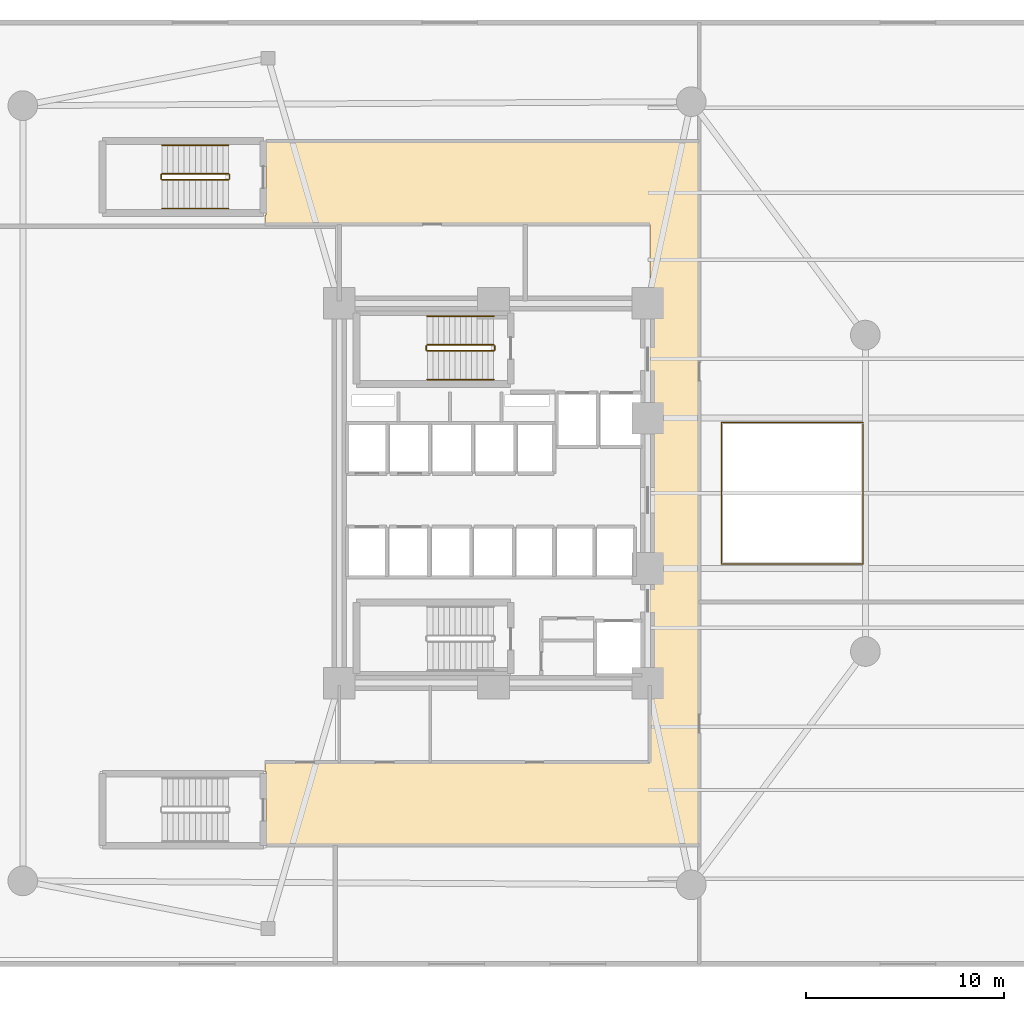
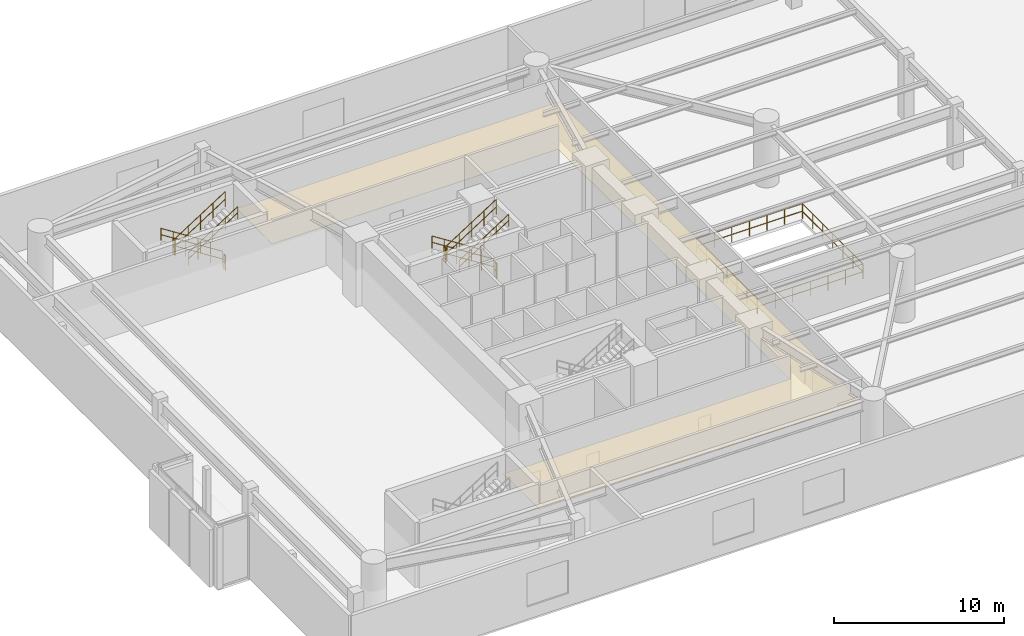
# One storey, part 15 of 16: 14 railings, 1 covering.
"""IFC4 building model written with IfcOpenShell, lengths in metres."""

from ifc_helpers import new_model, si_unit, direction, frame, origin, origin_2d, place, context, subcontext, project, spatial, polyline, circle, outline, extrude, material, layer, layer_set, type_object, element, save


model = new_model("IFC4")

# Units and contexts
model_context = context("Model", 3, precision=1e-05, world=origin(), true_north=direction((0.0, 1.0)))
body_context = subcontext(model_context, "Body", "Model", "MODEL_VIEW")
ifc_project = project(units=[si_unit("LENGTHUNIT", "METRE"), si_unit("AREAUNIT", "SQUARE_METRE"), si_unit("VOLUMEUNIT", "CUBIC_METRE"), si_unit("PLANEANGLEUNIT", "RADIAN"), si_unit("MASSUNIT", "GRAM", prefix="KILO")], contexts=[model_context])

# Site, building, storey
site_placement = place(None, origin())
site = spatial("IfcSite", under=ifc_project, at=site_placement, CompositionType="ELEMENT")
building_placement = place(site_placement, origin())
building = spatial("IfcBuilding", under=site, at=building_placement, Name="An Khanh Terracotta Commons", CompositionType="ELEMENT")
storey_placement = place(building_placement, frame((0.0, 0.0, 5.39990234375)))
storey = spatial("IfcBuildingStorey", under=building, at=storey_placement, Name="L02", CompositionType="ELEMENT", Elevation=5.39990234375)

# Covering
ifc_material_1 = material(Name="Perforated Mineral-Fibre Acoustic Tile")
ifc_layer = layer(ifc_material_1, 0.02001953125, Name="Perforated Mineral-Fibre Acoustic Tile")
ifc_layer_set = layer_set([ifc_layer], Name="Perforated Mineral-Fibre Acoustic Tile")
covering_type = type_object("IfcCoveringType", Name="CEIL-ACOUSTIC-18", PredefinedType="CEILING", material=ifc_layer_set)
covering_placement = place(storey_placement, frame((0.0, 0.0, 2.650146484375)))
element("IfcCovering", 1, at=covering_placement, inside=storey, type_object=covering_type, Name="L02 Gallery Ceiling", PredefinedType="CEILING", context=body_context, shape_type="SweptSolid", body=[
    extrude(outline(polyline([(17.889892578125, 6.199951171875), (17.889892578125, 9.93994140625), (17.85009765625, 9.93994140625), (17.85009765625, 10.39990234375), (37.300048828125, 10.39990234375), (37.300048828125, 14.280029296875), (37.320068359375, 14.280029296875), (37.320068359375, 33.719970703125), (37.300048828125, 33.719970703125), (37.300048828125, 37.60009765625), (17.85009765625, 37.60009765625), (17.85009765625, 38.06005859375), (17.889892578125, 38.06005859375), (17.889892578125, 41.800048828125), (39.800048828125, 41.800048828125), (39.800048828125, 40.0), (39.800048828125, 37.60009765625), (39.800048828125, 10.39990234375), (39.800048828125, 8.0), (39.800048828125, 6.199951171875), (17.889892578125, 6.199951171875)])), origin(), (0.0, 0.0, 1.0), 0.02001953125),
])

# Railings
ifc_material_2 = material(Name="Brushed Stainless Steel 316", Category="steel")
railing_type_1 = type_object("IfcRailingType", Name="RAIL-BALUSTRADE-1100", PredefinedType="BALUSTRADE", material=ifc_material_2)
railing_1_placement = place(storey_placement, frame((40.919921875, 20.419921875, 0.0)))
element("IfcRailing", 2, at=railing_1_placement, inside=storey, type_object=railing_type_1, Name="L02 Podium Commons Atrium Void Balustrade South-East", PredefinedType="BALUSTRADE", context=body_context, shape_type="SweptSolid", body=[
    extrude(circle(Radius=0.02392578125, at=origin_2d()), frame((0.0, 0.0, 1.076171875), z_axis=(1.0, 0.0, 0.0), x_axis=(0.0, 1.0, 0.0)), (0.0, 0.0, 1.0), 7.16015625),
    extrude(circle(Radius=0.02392578125, at=origin_2d()), frame((0.0, 0.0, 0.52587890625), z_axis=(1.0, 0.0, 0.0), x_axis=(0.0, 1.0, 0.0)), (0.0, 0.0, 1.0), 7.16015625),
    extrude(circle(Radius=0.02392578125, at=origin_2d()), frame((7.16015625, 0.0, 1.076171875), z_axis=(0.0, 1.0, 0.0), x_axis=(-1.0, 0.0, 0.0)), (0.0, 0.0, 1.0), 7.10009765625),
    extrude(circle(Radius=0.02392578125, at=origin_2d()), frame((7.16015625, 0.0, 0.52587890625), z_axis=(0.0, 1.0, 0.0), x_axis=(-1.0, 0.0, 0.0)), (0.0, 0.0, 1.0), 7.10009765625),
    extrude(circle(Radius=0.02099609375, at=origin_2d()), origin(), (0.0, 0.0, 1.0), 1.052001953125),
    extrude(circle(Radius=0.02099609375, at=origin_2d()), frame((1.193359375, 0.0, 0.0)), (0.0, 0.0, 1.0), 1.052001953125),
    extrude(circle(Radius=0.02099609375, at=origin_2d()), frame((2.38671875, 0.0, 0.0)), (0.0, 0.0, 1.0), 1.052001953125),
    extrude(circle(Radius=0.02099609375, at=origin_2d()), frame((3.580078125, 0.0, 0.0)), (0.0, 0.0, 1.0), 1.052001953125),
    extrude(circle(Radius=0.02099609375, at=origin_2d()), frame((4.7734375, 0.0, 0.0)), (0.0, 0.0, 1.0), 1.052001953125),
    extrude(circle(Radius=0.02099609375, at=origin_2d()), frame((5.966796875, 0.0, 0.0)), (0.0, 0.0, 1.0), 1.052001953125),
    extrude(circle(Radius=0.02099609375, at=origin_2d()), frame((7.16015625, 0.0, 0.0)), (0.0, 0.0, 1.0), 1.052001953125),
    extrude(circle(Radius=0.02099609375, at=origin_2d()), frame((7.16015625, 1.183349609375, 0.0)), (0.0, 0.0, 1.0), 1.052001953125),
    extrude(circle(Radius=0.02099609375, at=origin_2d()), frame((7.16015625, 2.36669921875, 0.0)), (0.0, 0.0, 1.0), 1.052001953125),
    extrude(circle(Radius=0.02099609375, at=origin_2d()), frame((7.16015625, 3.550048828125, 0.0)), (0.0, 0.0, 1.0), 1.052001953125),
    extrude(circle(Radius=0.02099609375, at=origin_2d()), frame((7.16015625, 4.7333984375, 0.0)), (0.0, 0.0, 1.0), 1.052001953125),
    extrude(circle(Radius=0.02099609375, at=origin_2d()), frame((7.16015625, 5.916748046875, 0.0)), (0.0, 0.0, 1.0), 1.052001953125),
    extrude(circle(Radius=0.02099609375, at=origin_2d()), frame((7.16015625, 7.10009765625, 0.0)), (0.0, 0.0, 1.0), 1.052001953125),
])
railing_2_placement = place(storey_placement, frame((48.080078125, 27.580078125, 0.0)))
element("IfcRailing", 3, at=railing_2_placement, inside=storey, type_object=railing_type_1, Name="L02 Podium Commons Atrium Void Balustrade North-West", PredefinedType="BALUSTRADE", context=body_context, shape_type="SweptSolid", body=[
    extrude(circle(Radius=0.02392578125, at=origin_2d()), frame((0.0, 0.0, 1.076171875), z_axis=(-1.0, 0.0, 0.0), x_axis=(0.0, -1.0, 0.0)), (0.0, 0.0, 1.0), 7.16015625),
    extrude(circle(Radius=0.02392578125, at=origin_2d()), frame((0.0, 0.0, 0.52587890625), z_axis=(-1.0, 0.0, 0.0), x_axis=(0.0, -1.0, 0.0)), (0.0, 0.0, 1.0), 7.16015625),
    extrude(circle(Radius=0.02392578125, at=origin_2d()), frame((-7.16015625, 0.0, 1.076171875), z_axis=(0.0, -1.0, 0.0), x_axis=(1.0, 0.0, 0.0)), (0.0, 0.0, 1.0), 7.10009765625),
    extrude(circle(Radius=0.02392578125, at=origin_2d()), frame((-7.16015625, 0.0, 0.52587890625), z_axis=(0.0, -1.0, 0.0), x_axis=(1.0, 0.0, 0.0)), (0.0, 0.0, 1.0), 7.10009765625),
    extrude(circle(Radius=0.02099609375, at=origin_2d()), origin(), (0.0, 0.0, 1.0), 1.052001953125),
    extrude(circle(Radius=0.02099609375, at=origin_2d()), frame((-1.193359375, 0.0, 0.0)), (0.0, 0.0, 1.0), 1.052001953125),
    extrude(circle(Radius=0.02099609375, at=origin_2d()), frame((-2.38671875, 0.0, 0.0)), (0.0, 0.0, 1.0), 1.052001953125),
    extrude(circle(Radius=0.02099609375, at=origin_2d()), frame((-3.580078125, 0.0, 0.0)), (0.0, 0.0, 1.0), 1.052001953125),
    extrude(circle(Radius=0.02099609375, at=origin_2d()), frame((-4.7734375, 0.0, 0.0)), (0.0, 0.0, 1.0), 1.052001953125),
    extrude(circle(Radius=0.02099609375, at=origin_2d()), frame((-5.966796875, 0.0, 0.0)), (0.0, 0.0, 1.0), 1.052001953125),
    extrude(circle(Radius=0.02099609375, at=origin_2d()), frame((-7.16015625, 0.0, 0.0)), (0.0, 0.0, 1.0), 1.052001953125),
    extrude(circle(Radius=0.02099609375, at=origin_2d()), frame((-7.16015625, -1.183349609375, 0.0)), (0.0, 0.0, 1.0), 1.052001953125),
    extrude(circle(Radius=0.02099609375, at=origin_2d()), frame((-7.16015625, -2.36669921875, 0.0)), (0.0, 0.0, 1.0), 1.052001953125),
    extrude(circle(Radius=0.02099609375, at=origin_2d()), frame((-7.16015625, -3.550048828125, 0.0)), (0.0, 0.0, 1.0), 1.052001953125),
    extrude(circle(Radius=0.02099609375, at=origin_2d()), frame((-7.16015625, -4.7333984375, 0.0)), (0.0, 0.0, 1.0), 1.052001953125),
    extrude(circle(Radius=0.02099609375, at=origin_2d()), frame((-7.16015625, -5.916748046875, 0.0)), (0.0, 0.0, 1.0), 1.052001953125),
    extrude(circle(Radius=0.02099609375, at=origin_2d()), frame((-7.16015625, -7.10009765625, 0.0)), (0.0, 0.0, 1.0), 1.052001953125),
])
railing_type_2 = type_object("IfcRailingType", Name="RAIL-HANDRAIL-900", PredefinedType="HANDRAIL", material=ifc_material_2)
railing_3_placement = place(storey_placement, frame((29.409912109375, 32.949951171875, 0.178955078125)))
element("IfcRailing", 4, at=railing_3_placement, inside=storey, type_object=railing_type_2, Name="L02 ST-01 stair handrail 1", PredefinedType="HANDRAIL", context=body_context, shape_type="SweptSolid", body=[
    extrude(circle(Radius=0.02392578125, at=origin_2d()), frame((0.0, 0.0, 0.8759765625), z_axis=(-0.842734844946, 0.0, 0.538328878209), x_axis=(0.0, -1.0, 0.0)), (0.0, 0.0, 1.0), 3.98681640625),
    extrude(circle(Radius=0.02392578125, at=origin_2d()), frame((0.0, 0.0, 0.42578125), z_axis=(-0.842734844946, 0.0, 0.538328878209), x_axis=(0.0, -1.0, 0.0)), (0.0, 0.0, 1.0), 3.98681640625),
    extrude(circle(Radius=0.02099609375, at=origin_2d()), origin(), (0.0, 0.0, 1.0), 0.851806640625),
    extrude(circle(Radius=0.02099609375, at=origin_2d()), frame((-0.83984375, 0.0, 0.53662109375)), (0.0, 0.0, 1.0), 0.851806640625),
    extrude(circle(Radius=0.02099609375, at=origin_2d()), frame((-1.679931640625, 0.0, 1.0732421875)), (0.0, 0.0, 1.0), 0.851806640625),
    extrude(circle(Radius=0.02099609375, at=origin_2d()), frame((-2.52001953125, 0.0, 1.609619140625)), (0.0, 0.0, 1.0), 0.851806640625),
    extrude(circle(Radius=0.02099609375, at=origin_2d()), frame((-3.35986328125, 0.0, 2.146240234375)), (0.0, 0.0, 1.0), 0.851806640625),
])
railing_4_placement = place(storey_placement, frame((26.050048828125, 29.75, 2.50390625)))
element("IfcRailing", 5, at=railing_4_placement, inside=storey, type_object=railing_type_2, Name="L02 ST-01 stair handrail 2", PredefinedType="HANDRAIL", context=body_context, shape_type="SweptSolid", body=[
    extrude(circle(Radius=0.02392578125, at=origin_2d()), frame((0.0, 0.0, 0.8759765625), z_axis=(0.842734844946, 0.0, 0.538328878209), x_axis=(0.0, 1.0, 0.0)), (0.0, 0.0, 1.0), 3.98681640625),
    extrude(circle(Radius=0.02392578125, at=origin_2d()), frame((0.0, 0.0, 0.42578125), z_axis=(0.842734844946, 0.0, 0.538328878209), x_axis=(0.0, 1.0, 0.0)), (0.0, 0.0, 1.0), 3.98681640625),
    extrude(circle(Radius=0.02099609375, at=origin_2d()), origin(), (0.0, 0.0, 1.0), 0.851806640625),
    extrude(circle(Radius=0.02099609375, at=origin_2d()), frame((0.83984375, 0.0, 0.53662109375)), (0.0, 0.0, 1.0), 0.851806640625),
    extrude(circle(Radius=0.02099609375, at=origin_2d()), frame((1.679931640625, 0.0, 1.0732421875)), (0.0, 0.0, 1.0), 0.851806640625),
    extrude(circle(Radius=0.02099609375, at=origin_2d()), frame((2.52001953125, 0.0, 1.609619140625)), (0.0, 0.0, 1.0), 0.851806640625),
    extrude(circle(Radius=0.02099609375, at=origin_2d()), frame((3.35986328125, 0.0, 2.146240234375)), (0.0, 0.0, 1.0), 0.851806640625),
])
railing_5_placement = place(storey_placement, frame((16.0, 41.60009765625, 0.178955078125)))
element("IfcRailing", 6, at=railing_5_placement, inside=storey, type_object=railing_type_2, Name="L02 ST-P2 stair handrail 1", PredefinedType="HANDRAIL", context=body_context, shape_type="SweptSolid", body=[
    extrude(circle(Radius=0.02392578125, at=origin_2d()), frame((0.0, 0.0, 0.8759765625), z_axis=(-0.842752589747, 0.0, 0.538301098341), x_axis=(0.0, -1.0, 0.0)), (0.0, 0.0, 1.0), 3.987060546875),
    extrude(circle(Radius=0.02392578125, at=origin_2d()), frame((0.0, 0.0, 0.42578125), z_axis=(-0.842752589747, 0.0, 0.538301098341), x_axis=(0.0, -1.0, 0.0)), (0.0, 0.0, 1.0), 3.987060546875),
    extrude(circle(Radius=0.02099609375, at=origin_2d()), origin(), (0.0, 0.0, 1.0), 0.851806640625),
    extrude(circle(Radius=0.02099609375, at=origin_2d()), frame((-0.840087890625, 0.0, 0.53662109375)), (0.0, 0.0, 1.0), 0.851806640625),
    extrude(circle(Radius=0.02099609375, at=origin_2d()), frame((-1.68017578125, 0.0, 1.0732421875)), (0.0, 0.0, 1.0), 0.851806640625),
    extrude(circle(Radius=0.02099609375, at=origin_2d()), frame((-2.52001953125, 0.0, 1.609619140625)), (0.0, 0.0, 1.0), 0.851806640625),
    extrude(circle(Radius=0.02099609375, at=origin_2d()), frame((-3.360107421875, 0.0, 2.146240234375)), (0.0, 0.0, 1.0), 0.851806640625),
])
railing_6_placement = place(storey_placement, frame((12.639892578125, 38.39990234375, 2.50390625)))
element("IfcRailing", 7, at=railing_6_placement, inside=storey, type_object=railing_type_2, Name="L02 ST-P2 stair handrail 2", PredefinedType="HANDRAIL", context=body_context, shape_type="SweptSolid", body=[
    extrude(circle(Radius=0.02392578125, at=origin_2d()), frame((0.0, 0.0, 0.8759765625), z_axis=(0.842752589747, 0.0, 0.538301098341), x_axis=(0.0, 1.0, 0.0)), (0.0, 0.0, 1.0), 3.987060546875),
    extrude(circle(Radius=0.02392578125, at=origin_2d()), frame((0.0, 0.0, 0.42578125), z_axis=(0.842752589747, 0.0, 0.538301098341), x_axis=(0.0, 1.0, 0.0)), (0.0, 0.0, 1.0), 3.987060546875),
    extrude(circle(Radius=0.02099609375, at=origin_2d()), origin(), (0.0, 0.0, 1.0), 0.851806640625),
    extrude(circle(Radius=0.02099609375, at=origin_2d()), frame((0.840087890625, 0.0, 0.53662109375)), (0.0, 0.0, 1.0), 0.851806640625),
    extrude(circle(Radius=0.02099609375, at=origin_2d()), frame((1.68017578125, 0.0, 1.0732421875)), (0.0, 0.0, 1.0), 0.851806640625),
    extrude(circle(Radius=0.02099609375, at=origin_2d()), frame((2.52001953125, 0.0, 1.609619140625)), (0.0, 0.0, 1.0), 0.851806640625),
    extrude(circle(Radius=0.02099609375, at=origin_2d()), frame((3.360107421875, 0.0, 2.146240234375)), (0.0, 0.0, 1.0), 0.851806640625),
])
ifc_material_3 = material(Name="Powder-Coated Steel S355J2", Category="steel")
railing_type_3 = type_object("IfcRailingType", Name="RAIL-STAIR-GUARD-1100", PredefinedType="BALUSTRADE", material=ifc_material_3)
railing_7_placement = place(storey_placement, frame((29.409912109375, 31.5, 0.178955078125)))
element("IfcRailing", 8, at=railing_7_placement, inside=storey, type_object=railing_type_3, Name="L02 ST-01 stair guard 1", PredefinedType="BALUSTRADE", context=body_context, shape_type="SweptSolid", body=[
    extrude(circle(Radius=0.02392578125, at=origin_2d()), frame((0.0, 0.0, 1.076171875), z_axis=(-0.842734844946, 0.0, 0.538328878209), x_axis=(0.0, -1.0, 0.0)), (0.0, 0.0, 1.0), 3.98681640625),
    extrude(circle(Radius=0.02392578125, at=origin_2d()), frame((0.0, 0.0, 0.52587890625), z_axis=(-0.842734844946, 0.0, 0.538328878209), x_axis=(0.0, -1.0, 0.0)), (0.0, 0.0, 1.0), 3.98681640625),
    extrude(circle(Radius=0.02099609375, at=origin_2d()), origin(), (0.0, 0.0, 1.0), 1.052001953125),
    extrude(circle(Radius=0.02099609375, at=origin_2d()), frame((-0.83984375, 0.0, 0.53662109375)), (0.0, 0.0, 1.0), 1.052001953125),
    extrude(circle(Radius=0.02099609375, at=origin_2d()), frame((-1.679931640625, 0.0, 1.0732421875)), (0.0, 0.0, 1.0), 1.052001953125),
    extrude(circle(Radius=0.02099609375, at=origin_2d()), frame((-2.52001953125, 0.0, 1.609619140625)), (0.0, 0.0, 1.0), 1.052001953125),
    extrude(circle(Radius=0.02099609375, at=origin_2d()), frame((-3.35986328125, 0.0, 2.146240234375)), (0.0, 0.0, 1.0), 1.052001953125),
])
railing_8_placement = place(storey_placement, frame((26.0, 31.449951171875, 2.3251953125)))
element("IfcRailing", 9, at=railing_8_placement, inside=storey, type_object=railing_type_3, Name="L02 ST-01 stair guard 2", PredefinedType="BALUSTRADE", context=body_context, shape_type="SweptSolid", body=[
    extrude(circle(Radius=0.02392578125, at=origin_2d()), frame((0.0, 0.0, 1.076171875), z_axis=(0.0, -1.0, 0.0), x_axis=(1.0, 0.0, 0.0)), (0.0, 0.0, 1.0), 0.199951171875),
    extrude(circle(Radius=0.02392578125, at=origin_2d()), frame((0.0, 0.0, 0.52587890625), z_axis=(0.0, -1.0, 0.0), x_axis=(1.0, 0.0, 0.0)), (0.0, 0.0, 1.0), 0.199951171875),
    extrude(circle(Radius=0.02099609375, at=origin_2d()), origin(), (0.0, 0.0, 1.0), 1.052001953125),
    extrude(circle(Radius=0.02099609375, at=origin_2d()), frame((0.0, -0.199951171875, 0.0)), (0.0, 0.0, 1.0), 1.052001953125),
])
railing_9_placement = place(storey_placement, frame((26.050048828125, 31.199951171875, 2.50390625)))
element("IfcRailing", 10, at=railing_9_placement, inside=storey, type_object=railing_type_3, Name="L02 ST-01 stair guard 3", PredefinedType="BALUSTRADE", context=body_context, shape_type="SweptSolid", body=[
    extrude(circle(Radius=0.02392578125, at=origin_2d()), frame((0.0, 0.0, 1.076171875), z_axis=(0.842734844946, 0.0, 0.538328878209), x_axis=(0.0, 1.0, 0.0)), (0.0, 0.0, 1.0), 3.98681640625),
    extrude(circle(Radius=0.02392578125, at=origin_2d()), frame((0.0, 0.0, 0.52587890625), z_axis=(0.842734844946, 0.0, 0.538328878209), x_axis=(0.0, 1.0, 0.0)), (0.0, 0.0, 1.0), 3.98681640625),
    extrude(circle(Radius=0.02099609375, at=origin_2d()), origin(), (0.0, 0.0, 1.0), 1.052001953125),
    extrude(circle(Radius=0.02099609375, at=origin_2d()), frame((0.83984375, 0.0, 0.53662109375)), (0.0, 0.0, 1.0), 1.052001953125),
    extrude(circle(Radius=0.02099609375, at=origin_2d()), frame((1.679931640625, 0.0, 1.0732421875)), (0.0, 0.0, 1.0), 1.052001953125),
    extrude(circle(Radius=0.02099609375, at=origin_2d()), frame((2.52001953125, 0.0, 1.609619140625)), (0.0, 0.0, 1.0), 1.052001953125),
    extrude(circle(Radius=0.02099609375, at=origin_2d()), frame((3.35986328125, 0.0, 2.146240234375)), (0.0, 0.0, 1.0), 1.052001953125),
])
railing_10_placement = place(storey_placement, frame((29.4599609375, 31.449951171875, 0.0)))
element("IfcRailing", 11, at=railing_10_placement, inside=storey, type_object=railing_type_3, Name="L02 ST-01 stair guard 4", PredefinedType="BALUSTRADE", context=body_context, shape_type="SweptSolid", body=[
    extrude(circle(Radius=0.02392578125, at=origin_2d()), frame((0.0, 0.0, 1.076171875), z_axis=(0.0, -1.0, 0.0), x_axis=(1.0, 0.0, 0.0)), (0.0, 0.0, 1.0), 0.199951171875),
    extrude(circle(Radius=0.02392578125, at=origin_2d()), frame((0.0, 0.0, 0.52587890625), z_axis=(0.0, -1.0, 0.0), x_axis=(1.0, 0.0, 0.0)), (0.0, 0.0, 1.0), 0.199951171875),
    extrude(circle(Radius=0.02099609375, at=origin_2d()), origin(), (0.0, 0.0, 1.0), 1.052001953125),
    extrude(circle(Radius=0.02099609375, at=origin_2d()), frame((0.0, -0.199951171875, 0.0)), (0.0, 0.0, 1.0), 1.052001953125),
])
railing_11_placement = place(storey_placement, frame((16.0, 40.14990234375, 0.178955078125)))
element("IfcRailing", 12, at=railing_11_placement, inside=storey, type_object=railing_type_3, Name="L02 ST-P2 stair guard 1", PredefinedType="BALUSTRADE", context=body_context, shape_type="SweptSolid", body=[
    extrude(circle(Radius=0.02392578125, at=origin_2d()), frame((0.0, 0.0, 1.076171875), z_axis=(-0.842752589747, 0.0, 0.538301098341), x_axis=(0.0, -1.0, 0.0)), (0.0, 0.0, 1.0), 3.987060546875),
    extrude(circle(Radius=0.02392578125, at=origin_2d()), frame((0.0, 0.0, 0.52587890625), z_axis=(-0.842752589747, 0.0, 0.538301098341), x_axis=(0.0, -1.0, 0.0)), (0.0, 0.0, 1.0), 3.987060546875),
    extrude(circle(Radius=0.02099609375, at=origin_2d()), origin(), (0.0, 0.0, 1.0), 1.052001953125),
    extrude(circle(Radius=0.02099609375, at=origin_2d()), frame((-0.840087890625, 0.0, 0.53662109375)), (0.0, 0.0, 1.0), 1.052001953125),
    extrude(circle(Radius=0.02099609375, at=origin_2d()), frame((-1.68017578125, 0.0, 1.0732421875)), (0.0, 0.0, 1.0), 1.052001953125),
    extrude(circle(Radius=0.02099609375, at=origin_2d()), frame((-2.52001953125, 0.0, 1.609619140625)), (0.0, 0.0, 1.0), 1.052001953125),
    extrude(circle(Radius=0.02099609375, at=origin_2d()), frame((-3.360107421875, 0.0, 2.146240234375)), (0.0, 0.0, 1.0), 1.052001953125),
])
railing_12_placement = place(storey_placement, frame((12.590087890625, 40.10009765625, 2.3251953125)))
element("IfcRailing", 13, at=railing_12_placement, inside=storey, type_object=railing_type_3, Name="L02 ST-P2 stair guard 2", PredefinedType="BALUSTRADE", context=body_context, shape_type="SweptSolid", body=[
    extrude(circle(Radius=0.02392578125, at=origin_2d()), frame((0.0, 0.0, 1.076171875), z_axis=(0.0, -1.0, 0.0), x_axis=(1.0, 0.0, 0.0)), (0.0, 0.0, 1.0), 0.2001953125),
    extrude(circle(Radius=0.02392578125, at=origin_2d()), frame((0.0, 0.0, 0.52587890625), z_axis=(0.0, -1.0, 0.0), x_axis=(1.0, 0.0, 0.0)), (0.0, 0.0, 1.0), 0.2001953125),
    extrude(circle(Radius=0.02099609375, at=origin_2d()), origin(), (0.0, 0.0, 1.0), 1.052001953125),
    extrude(circle(Radius=0.02099609375, at=origin_2d()), frame((0.0, -0.2001953125, 0.0)), (0.0, 0.0, 1.0), 1.052001953125),
])
railing_13_placement = place(storey_placement, frame((12.639892578125, 39.85009765625, 2.50390625)))
element("IfcRailing", 14, at=railing_13_placement, inside=storey, type_object=railing_type_3, Name="L02 ST-P2 stair guard 3", PredefinedType="BALUSTRADE", context=body_context, shape_type="SweptSolid", body=[
    extrude(circle(Radius=0.02392578125, at=origin_2d()), frame((0.0, 0.0, 1.076171875), z_axis=(0.842752589747, 0.0, 0.538301098341), x_axis=(0.0, 1.0, 0.0)), (0.0, 0.0, 1.0), 3.987060546875),
    extrude(circle(Radius=0.02392578125, at=origin_2d()), frame((0.0, 0.0, 0.52587890625), z_axis=(0.842752589747, 0.0, 0.538301098341), x_axis=(0.0, 1.0, 0.0)), (0.0, 0.0, 1.0), 3.987060546875),
    extrude(circle(Radius=0.02099609375, at=origin_2d()), origin(), (0.0, 0.0, 1.0), 1.052001953125),
    extrude(circle(Radius=0.02099609375, at=origin_2d()), frame((0.840087890625, 0.0, 0.53662109375)), (0.0, 0.0, 1.0), 1.052001953125),
    extrude(circle(Radius=0.02099609375, at=origin_2d()), frame((1.68017578125, 0.0, 1.0732421875)), (0.0, 0.0, 1.0), 1.052001953125),
    extrude(circle(Radius=0.02099609375, at=origin_2d()), frame((2.52001953125, 0.0, 1.609619140625)), (0.0, 0.0, 1.0), 1.052001953125),
    extrude(circle(Radius=0.02099609375, at=origin_2d()), frame((3.360107421875, 0.0, 2.146240234375)), (0.0, 0.0, 1.0), 1.052001953125),
])
railing_14_placement = place(storey_placement, frame((16.050048828125, 40.10009765625, 0.0)))
element("IfcRailing", 15, at=railing_14_placement, inside=storey, type_object=railing_type_3, Name="L02 ST-P2 stair guard 4", PredefinedType="BALUSTRADE", context=body_context, shape_type="SweptSolid", body=[
    extrude(circle(Radius=0.02392578125, at=origin_2d()), frame((0.0, 0.0, 1.076171875), z_axis=(0.0, -1.0, 0.0), x_axis=(1.0, 0.0, 0.0)), (0.0, 0.0, 1.0), 0.2001953125),
    extrude(circle(Radius=0.02392578125, at=origin_2d()), frame((0.0, 0.0, 0.52587890625), z_axis=(0.0, -1.0, 0.0), x_axis=(1.0, 0.0, 0.0)), (0.0, 0.0, 1.0), 0.2001953125),
    extrude(circle(Radius=0.02099609375, at=origin_2d()), origin(), (0.0, 0.0, 1.0), 1.052001953125),
    extrude(circle(Radius=0.02099609375, at=origin_2d()), frame((0.0, -0.2001953125, 0.0)), (0.0, 0.0, 1.0), 1.052001953125),
])

save(model, "model.ifc")
